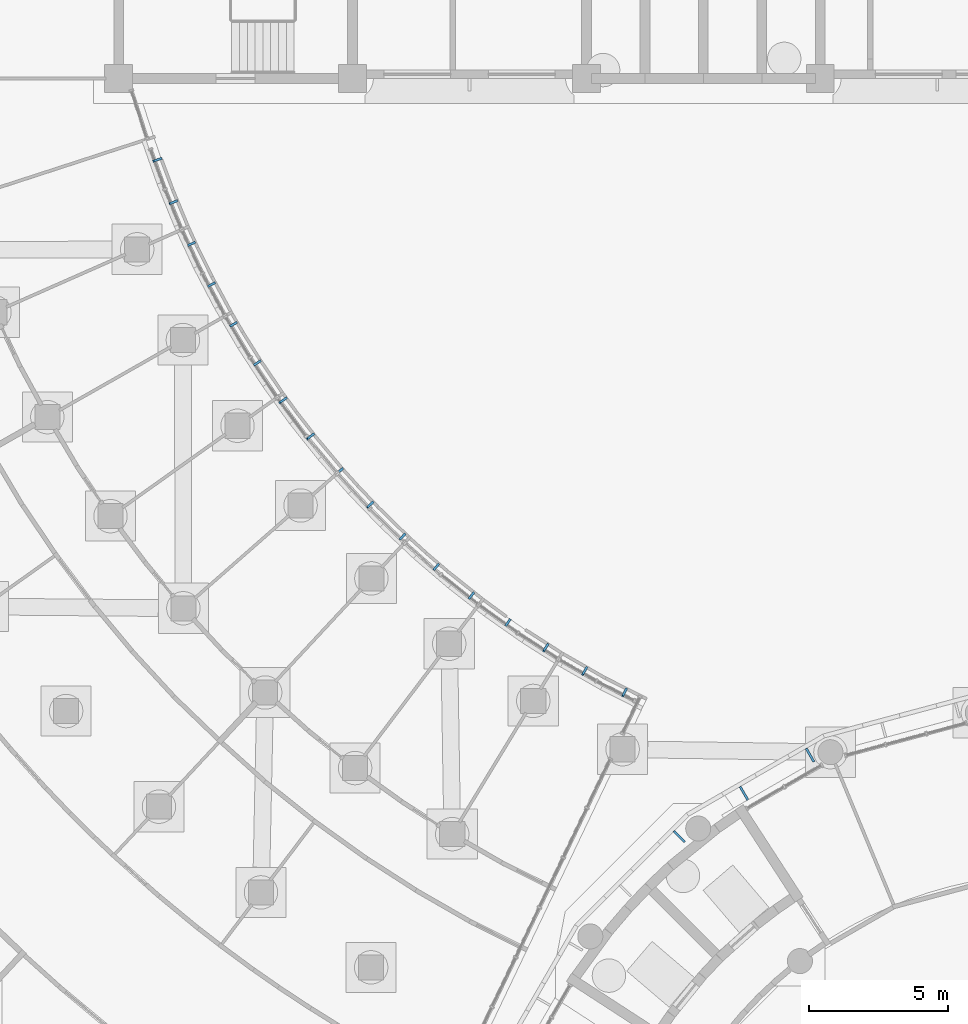
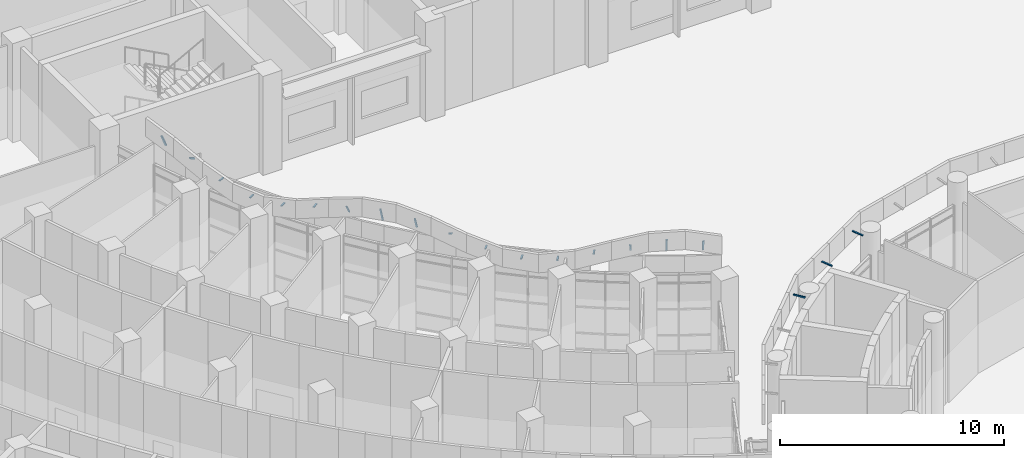
# One storey, part 110 of 146: 20 discrete accessories.
"""IFC4 building model written with IfcOpenShell, lengths in metres."""

from ifc_helpers import new_model, si_unit, direction, frame, origin, origin_2d, place, context, subcontext, project, spatial, rectangle, extrude, material, material_profile, profile_set, type_object, element, save


model = new_model("IFC4")

# Units and contexts
model_context = context("Model", 3, precision=1e-05, world=origin(), true_north=direction((0.0, 1.0)))
body_context = subcontext(model_context, "Body", "Model", "MODEL_VIEW")
ifc_project = project(units=[si_unit("LENGTHUNIT", "METRE"), si_unit("AREAUNIT", "SQUARE_METRE"), si_unit("VOLUMEUNIT", "CUBIC_METRE"), si_unit("PLANEANGLEUNIT", "RADIAN"), si_unit("MASSUNIT", "GRAM", prefix="KILO")], contexts=[model_context])

# Site, building, storey
site_placement = place(None, origin())
site = spatial("IfcSite", under=ifc_project, at=site_placement, CompositionType="ELEMENT")
building_placement = place(site_placement, origin())
building = spatial("IfcBuilding", under=site, at=building_placement, Name="Bougainvillea Quay General Hospital", CompositionType="ELEMENT")
storey_placement = place(building_placement, origin())
storey = spatial("IfcBuildingStorey", under=building, at=storey_placement, Name="L00", CompositionType="ELEMENT", Elevation=0.0)

# Discrete accessories
ifc_material = material(Name="Stainless steel bracket, grade 316", Category="steel")
ifc_material_profile = material_profile(ifc_material, rectangle(XDim=0.080078125, YDim=0.050048828125, at=origin_2d()))
ifc_profile_set = profile_set([ifc_material_profile], Name="Stainless steel bracket, grade 316")
discrete_accessory_type = type_object("IfcDiscreteAccessoryType", Name="Stainless steel stand-off bracket 80x50", PredefinedType="BRACKET", material=ifc_profile_set)
discrete_accessory_1_placement = place(storey_placement, frame((93.839111328125, 95.6787109375, 5.340087890625), z_axis=(-0.182714873555, -0.360820723273, 0.914562015742), x_axis=(0.892136394732, -0.451766148792, 0.0)))
element("IfcDiscreteAccessory", 1, at=discrete_accessory_1_placement, inside=storey, type_object=discrete_accessory_type, Name="Fascia bracket a11 1", PredefinedType="BRACKET", context=body_context, shape_type="SweptSolid", body=[
    extrude(rectangle(XDim=0.080078125, YDim=0.050048828125, at=origin_2d()), origin(), (0.0, 0.0, 1.0), 0.74169921875),
])
discrete_accessory_2_placement = place(storey_placement, frame((92.40966796875, 96.4462890625, 5.340087890625), z_axis=(-0.176270648181, -0.310143413933, 0.934205395715), x_axis=(0.869392978279, -0.494121290089, 0.0)))
element("IfcDiscreteAccessory", 2, at=discrete_accessory_2_placement, inside=storey, type_object=discrete_accessory_type, Name="Fascia bracket a11 2", PredefinedType="BRACKET", context=body_context, shape_type="SweptSolid", body=[
    extrude(rectangle(XDim=0.080078125, YDim=0.050048828125, at=origin_2d()), origin(), (0.0, 0.0, 1.0), 0.8408203125),
])
discrete_accessory_3_placement = place(storey_placement, frame((91.018310546875, 97.28125, 5.340087890625), z_axis=(-0.286225904123, -0.452210789163, 0.84473672465), x_axis=(0.844966227982, -0.534819664532, 0.0)))
element("IfcDiscreteAccessory", 3, at=discrete_accessory_3_placement, inside=storey, type_object=discrete_accessory_type, Name="Fascia bracket a11 3", PredefinedType="BRACKET", context=body_context, shape_type="SweptSolid", body=[
    extrude(rectangle(XDim=0.080078125, YDim=0.050048828125, at=origin_2d()), origin(), (0.0, 0.0, 1.0), 0.560302734375),
])
discrete_accessory_4_placement = place(storey_placement, frame((89.668701171875, 98.181640625, 5.26171875), z_axis=(-0.574989659734, -0.818160675661, 0.0), x_axis=(0.818160675661, -0.574989659734, 0.0)))
element("IfcDiscreteAccessory", 4, at=discrete_accessory_4_placement, inside=storey, type_object=discrete_accessory_type, Name="Fascia bracket a11 4", PredefinedType="BRACKET", context=body_context, shape_type="SweptSolid", body=[
    extrude(rectangle(XDim=0.080078125, YDim=0.050048828125, at=origin_2d()), origin(), (0.0, 0.0, 1.0), 0.30029296875),
])
for number, where, z_axis, x_axis, name in (
    (5, (88.36328125, 99.1455078125, 4.790283203125), (-0.61281314795, -0.790227844169, 0.0), (0.790227844169, -0.61281314795, 0.0), "Fascia bracket a11 5"),
    (6, (87.10546875, 100.17041015625, 4.672119140625), (-0.650054054962, -0.759887969129, 0.0), (0.759887969129, -0.650054054962, 0.0), "Fascia bracket a11 6"),
):
    element("IfcDiscreteAccessory", number, at=place(storey_placement, frame(where, z_axis=z_axis, x_axis=x_axis)), inside=storey, type_object=discrete_accessory_type, Name=name, PredefinedType="BRACKET", context=body_context, shape_type="SweptSolid", body=[
        extrude(rectangle(XDim=0.080078125, YDim=0.050048828125, at=origin_2d()), origin(), (0.0, 0.0, 1.0), 0.300048828125),
    ])
discrete_accessory_5_placement = place(storey_placement, frame((85.89794921875, 101.254150390625, 4.975830078125), z_axis=(-0.685618651018, -0.727960895499, 0.0), x_axis=(0.727960895499, -0.685618651018, 0.0)))
element("IfcDiscreteAccessory", 7, at=discrete_accessory_5_placement, inside=storey, type_object=discrete_accessory_type, Name="Fascia bracket a11 7", PredefinedType="BRACKET", context=body_context, shape_type="SweptSolid", body=[
    extrude(rectangle(XDim=0.080078125, YDim=0.050048828125, at=origin_2d()), origin(), (0.0, 0.0, 1.0), 0.2998046875),
])
discrete_accessory_6_placement = place(storey_placement, frame((84.74365234375, 102.394287109375, 5.340087890625), z_axis=(-0.611964034591, -0.59050375736, 0.526122925666), x_axis=(0.694376569447, -0.719611825781, 0.0)))
element("IfcDiscreteAccessory", 8, at=discrete_accessory_6_placement, inside=storey, type_object=discrete_accessory_type, Name="Fascia bracket a11 8", PredefinedType="BRACKET", context=body_context, shape_type="SweptSolid", body=[
    extrude(rectangle(XDim=0.080078125, YDim=0.050048828125, at=origin_2d()), origin(), (0.0, 0.0, 1.0), 0.352783203125),
])
discrete_accessory_7_placement = place(storey_placement, frame((83.64501953125, 103.58837890625, 5.340087890625), z_axis=(-0.310244551744, -0.271967626529, 0.910923667622), x_axis=(0.659195718475, -0.751971412186, 0.0)))
element("IfcDiscreteAccessory", 9, at=discrete_accessory_7_placement, inside=storey, type_object=discrete_accessory_type, Name="Fascia bracket a11 9", PredefinedType="BRACKET", context=body_context, shape_type="SweptSolid", body=[
    extrude(rectangle(XDim=0.080078125, YDim=0.050048828125, at=origin_2d()), origin(), (0.0, 0.0, 1.0), 0.72705078125),
])
discrete_accessory_8_placement = place(storey_placement, frame((82.604736328125, 104.83349609375, 5.340087890625), z_axis=(-0.277909760336, -0.220998925839, 0.934839900672), x_axis=(0.622410307918, -0.78269113231, 0.0)))
element("IfcDiscreteAccessory", 10, at=discrete_accessory_8_placement, inside=storey, type_object=discrete_accessory_type, Name="Fascia bracket a11 10", PredefinedType="BRACKET", context=body_context, shape_type="SweptSolid", body=[
    extrude(rectangle(XDim=0.080078125, YDim=0.050048828125, at=origin_2d()), origin(), (0.0, 0.0, 1.0), 0.84521484375),
])
discrete_accessory_9_placement = place(storey_placement, frame((81.624755859375, 106.126708984375, 5.340087890625), z_axis=(-0.420927802466, -0.303135568877, 0.854943630886), x_axis=(0.584390488054, -0.81147258578, 0.0)))
element("IfcDiscreteAccessory", 11, at=discrete_accessory_9_placement, inside=storey, type_object=discrete_accessory_type, Name="Fascia bracket a11 11", PredefinedType="BRACKET", context=body_context, shape_type="SweptSolid", body=[
    extrude(rectangle(XDim=0.080078125, YDim=0.050048828125, at=origin_2d()), origin(), (0.0, 0.0, 1.0), 0.578369140625),
])
discrete_accessory_10_placement = place(storey_placement, frame((80.707763671875, 107.46533203125, 5.287109375), z_axis=(-0.838257628123, -0.545274379459, 0.0), x_axis=(0.545274379459, -0.838257628123, 0.0)))
element("IfcDiscreteAccessory", 12, at=discrete_accessory_10_placement, inside=storey, type_object=discrete_accessory_type, Name="Fascia bracket a11 12", PredefinedType="BRACKET", context=body_context, shape_type="SweptSolid", body=[
    extrude(rectangle(XDim=0.080078125, YDim=0.050048828125, at=origin_2d()), origin(), (0.0, 0.0, 1.0), 0.300048828125),
])
discrete_accessory_11_placement = place(storey_placement, frame((79.855712890625, 108.84619140625, 4.80517578125), z_axis=(-0.863187603129, -0.504883315038, 0.0), x_axis=(0.504883315038, -0.863187603129, 0.0)))
element("IfcDiscreteAccessory", 13, at=discrete_accessory_11_placement, inside=storey, type_object=discrete_accessory_type, Name="Fascia bracket a11 13", PredefinedType="BRACKET", context=body_context, shape_type="SweptSolid", body=[
    extrude(rectangle(XDim=0.080078125, YDim=0.050048828125, at=origin_2d()), origin(), (0.0, 0.0, 1.0), 0.2998046875),
])
for number, where, z_axis, x_axis, name in (
    (14, (79.070556640625, 110.26611328125, 4.66796875), (-0.886308963089, -0.463094398528, 0.0), (0.463094398528, -0.886308963089, 0.0), "Fascia bracket a11 14"),
    (15, (78.35400390625, 111.7216796875, 4.955078125), (-0.907530107889, -0.419987027507, 0.0), (0.419987027507, -0.907530107889, 0.0), "Fascia bracket a11 15"),
):
    element("IfcDiscreteAccessory", number, at=place(storey_placement, frame(where, z_axis=z_axis, x_axis=x_axis)), inside=storey, type_object=discrete_accessory_type, Name=name, PredefinedType="BRACKET", context=body_context, shape_type="SweptSolid", body=[
        extrude(rectangle(XDim=0.080078125, YDim=0.050048828125, at=origin_2d()), origin(), (0.0, 0.0, 1.0), 0.300048828125),
    ])
discrete_accessory_12_placement = place(storey_placement, frame((77.707763671875, 113.2099609375, 5.340087890625), z_axis=(-0.817284134982, -0.331797249878, 0.471123367793), x_axis=(0.376158643554, -0.926555273516, 0.0)))
element("IfcDiscreteAccessory", 16, at=discrete_accessory_12_placement, inside=storey, type_object=discrete_accessory_type, Name="Fascia bracket a11 16", PredefinedType="BRACKET", context=body_context, shape_type="SweptSolid", body=[
    extrude(rectangle(XDim=0.080078125, YDim=0.050048828125, at=origin_2d()), origin(), (0.0, 0.0, 1.0), 0.33984375),
])
discrete_accessory_13_placement = place(storey_placement, frame((77.13330078125, 114.7275390625, 5.340087890625), z_axis=(-0.396905100235, -0.139721553836, 0.907162735567), x_axis=(0.332053730012, -0.943260473244, 0.0)))
element("IfcDiscreteAccessory", 17, at=discrete_accessory_13_placement, inside=storey, type_object=discrete_accessory_type, Name="Fascia bracket a11 17", PredefinedType="BRACKET", context=body_context, shape_type="SweptSolid", body=[
    extrude(rectangle(XDim=0.080078125, YDim=0.050048828125, at=origin_2d()), origin(), (0.0, 0.0, 1.0), 0.712890625),
])
for number, where, z_axis, x_axis, name in (
    (18, (100.570556640625, 93.058349609375, 5.340087890625), (-0.497265059771, 0.860837738787, 0.10810109995), (-0.865912065108, -0.500196256984, 0.0), "Fascia bracket e0 31"),
    (19, (98.196533203125, 91.68798828125, 5.340087890625), (-0.496932825288, 0.861026591596, 0.108124815449), (-0.866104278045, -0.499863360881, 0.0), "Fascia bracket e0 33"),
    (20, (95.931396484375, 90.175537109375, 5.340087890625), (-0.702962071762, 0.702962071762, 0.108114066279), (-0.707106781187, -0.707106781187, 0.0), "Fascia bracket e0 35"),
):
    element("IfcDiscreteAccessory", number, at=place(storey_placement, frame(where, z_axis=z_axis, x_axis=x_axis)), inside=storey, type_object=discrete_accessory_type, Name=name, PredefinedType="BRACKET", context=body_context, shape_type="SweptSolid", body=[
        extrude(rectangle(XDim=0.080078125, YDim=0.050048828125, at=origin_2d()), origin(), (0.0, 0.0, 1.0), 0.55322265625),
    ])

save(model, "model.ifc")
